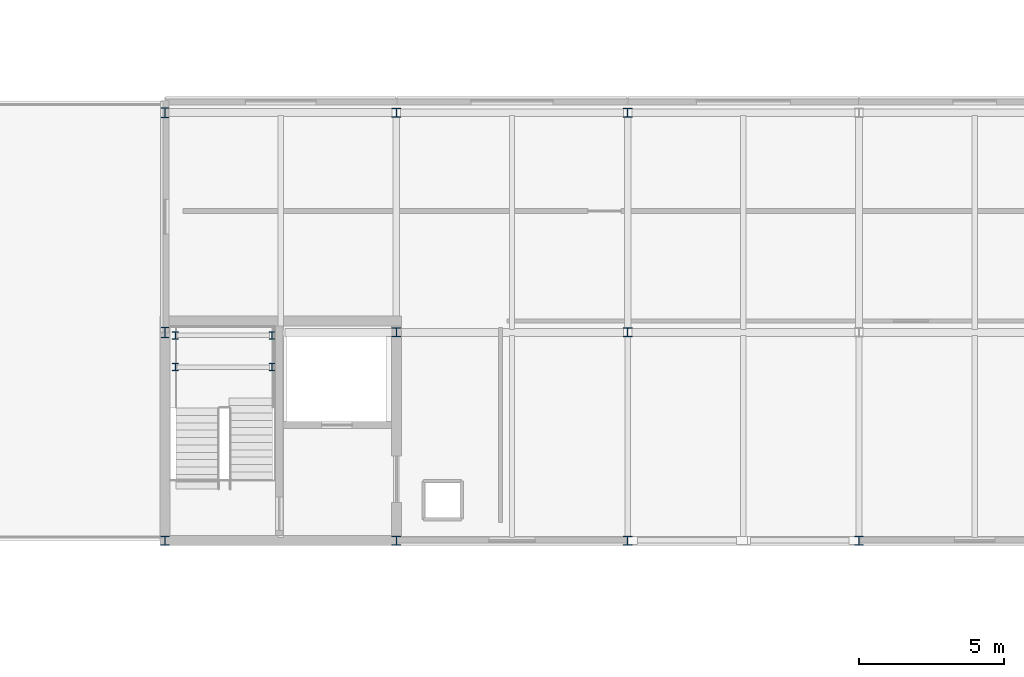
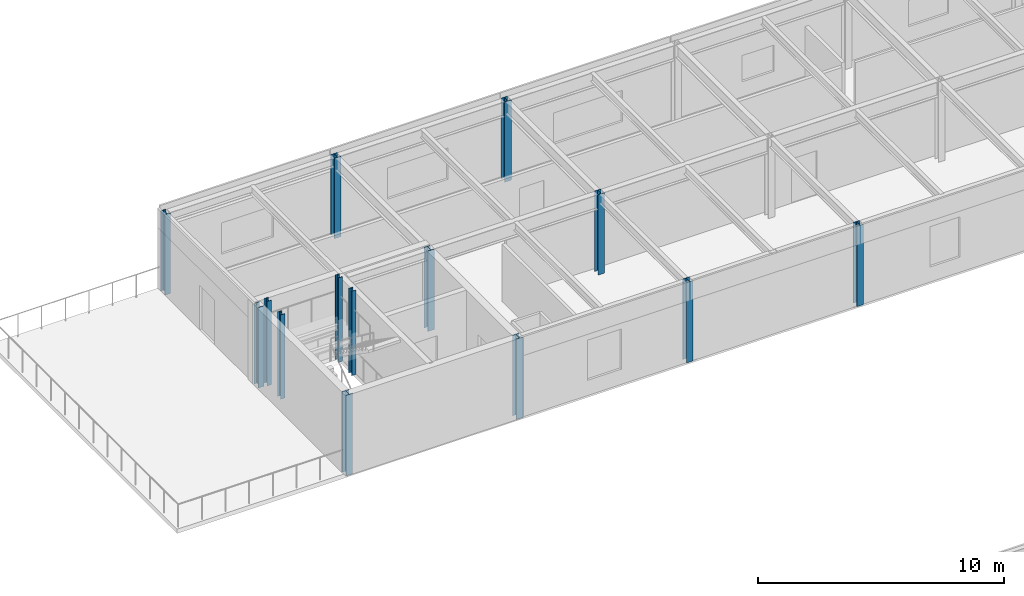
# One storey, part 4 of 33: 14 columns.
"""IFC4 building model written with IfcOpenShell, lengths in metres."""

from ifc_helpers import new_model, si_unit, direction, frame, origin, origin_2d, place, context, subcontext, project, spatial, i_section, extrude, material, material_profile, profile_set, type_object, element, save


model = new_model("IFC4")

# Units and contexts
model_context = context("Model", 3, precision=1e-05, world=origin(), true_north=direction((0.0, 1.0)))
body_context = subcontext(model_context, "Body", "Model", "MODEL_VIEW")
ifc_project = project(units=[si_unit("LENGTHUNIT", "METRE"), si_unit("AREAUNIT", "SQUARE_METRE"), si_unit("VOLUMEUNIT", "CUBIC_METRE"), si_unit("PLANEANGLEUNIT", "RADIAN"), si_unit("MASSUNIT", "GRAM", prefix="KILO")], contexts=[model_context])

# Site, building, storey
site_placement = place(None, origin())
site = spatial("IfcSite", under=ifc_project, at=site_placement, CompositionType="ELEMENT")
building_placement = place(site_placement, origin())
building = spatial("IfcBuilding", under=site, at=building_placement, Name="Zulena Civic Courthouse", CompositionType="ELEMENT")
storey_placement = place(building_placement, frame((0.0, 0.0, 33.60009765625)))
storey = spatial("IfcBuildingStorey", under=building, at=storey_placement, Name="L07", CompositionType="ELEMENT", Elevation=33.60009765625)

# Columns
ifc_material = material(Name="Steel ASTM A992 Grade 50", Category="steel")
ifc_material_profile_1 = material_profile(ifc_material, i_section(OverallWidth=0.2041015625, OverallDepth=0.257080078125, WebThickness=0.0087890625, FlangeThickness=0.015625, FilletRadius=0.0126953125, at=origin_2d()), Name="W10X45")
ifc_profile_set_1 = profile_set([ifc_material_profile_1], Name="Steel ASTM A992 Grade 50")
column_type_1 = type_object("IfcColumnType", Name="Col_W10X45", PredefinedType="COLUMN", material=ifc_profile_set_1)
for number, where, z_axis, x_axis, name in (
    (1, (20.360107421875, 52.0, 0.0), (0.0, 0.0, 1.0), (1.0, 0.0, 0.0), "col:lnd:K5A:L07:0:0"),
    (2, (23.699951171875, 52.0, 0.0), (0.0, 0.0, 1.0), (1.0, 0.0, 0.0), "col:lnd:K5A:L07:0:1"),
    (3, (20.360107421875, 53.10009765625, 0.0), (0.0, 0.0, 1.0), (1.0, 0.0, 0.0), "col:lnd:K5A:L07:1:0"),
    (4, (23.699951171875, 53.10009765625, 0.0), (0.0, 0.0, 1.0), (1.0, 0.0, 0.0), "col:lnd:K5A:L07:1:1"),
):
    element("IfcColumn", number, at=place(storey_placement, frame(where, z_axis=z_axis, x_axis=x_axis)), inside=storey, type_object=column_type_1, Name=name, PredefinedType="COLUMN", context=body_context, shape_type="SweptSolid", body=[
        extrude(i_section(OverallWidth=0.2041015625, OverallDepth=0.257080078125, WebThickness=0.0087890625, FlangeThickness=0.015625, FilletRadius=0.0126953125, at=origin_2d()), origin(), (0.0, 0.0, 1.0), 4.19482421875),
    ])
ifc_material_profile_2 = material_profile(ifc_material, i_section(OverallWidth=0.306884765625, OverallDepth=0.31396484375, WebThickness=0.011962890625, FlangeThickness=0.018798828125, FilletRadius=0.01513671875, at=origin_2d()), Name="W12X79")
ifc_profile_set_2 = profile_set([ifc_material_profile_2], Name="Steel ASTM A992 Grade 50")
column_type_2 = type_object("IfcColumnType", Name="Col_W12X79", PredefinedType="COLUMN", material=ifc_profile_set_2)
for number, where, z_axis, x_axis, name in (
    (5, (20.0, 46.0, 0.0), (0.0, 0.0, 1.0), (1.0, 0.0, 0.0), "col:V5:L07:20.0:46.0"),
    (6, (28.0, 46.0, 0.0), (0.0, 0.0, 1.0), (1.0, 0.0, 0.0), "col:V5:L07:28.0:46.0"),
    (7, (28.0, 53.199951171875, 0.0), (0.0, 0.0, 1.0), (1.0, 0.0, 0.0), "col:V5:L07:28.0:53.2"),
    (8, (28.0, 60.800048828125, 0.0), (0.0, 0.0, 1.0), (1.0, 0.0, 0.0), "col:V5:L07:28.0:60.8"),
    (9, (36.0, 46.0, 0.0), (0.0, 0.0, 1.0), (1.0, 0.0, 0.0), "col:V5:L07:36.0:46.0"),
    (10, (36.0, 53.199951171875, 0.0), (0.0, 0.0, 1.0), (1.0, 0.0, 0.0), "col:V5:L07:36.0:53.2"),
    (11, (36.0, 60.800048828125, 0.0), (0.0, 0.0, 1.0), (1.0, 0.0, 0.0), "col:V5:L07:36.0:60.8"),
    (12, (44.0, 46.0, 0.0), (0.0, 0.0, 1.0), (1.0, 0.0, 0.0), "col:V5:L07:44.0:46.0"),
):
    element("IfcColumn", number, at=place(storey_placement, frame(where, z_axis=z_axis, x_axis=x_axis)), inside=storey, type_object=column_type_2, Name=name, PredefinedType="COLUMN", context=body_context, shape_type="SweptSolid", body=[
        extrude(i_section(OverallWidth=0.306884765625, OverallDepth=0.31396484375, WebThickness=0.011962890625, FlangeThickness=0.018798828125, FilletRadius=0.01513671875, at=origin_2d()), origin(), (0.0, 0.0, 1.0), 3.994873046875),
    ])
ifc_material_profile_3 = material_profile(ifc_material, i_section(OverallWidth=0.2548828125, OverallDepth=0.35693359375, WebThickness=0.010498046875, FlangeThickness=0.018310546875, FilletRadius=0.01513671875, at=origin_2d()), Name="W14X68")
ifc_profile_set_3 = profile_set([ifc_material_profile_3], Name="Steel ASTM A992 Grade 50")
column_type_3 = type_object("IfcColumnType", Name="Col_W14X68", PredefinedType="COLUMN", material=ifc_profile_set_3)
for number, where, z_axis, x_axis, name in (
    (13, (20.0, 53.199951171875, 0.0), (0.0, 0.0, 1.0), (1.0, 0.0, 0.0), "col:V5:L07:20.0:53.2"),
    (14, (20.0, 60.800048828125, 0.0), (0.0, 0.0, 1.0), (1.0, 0.0, 0.0), "col:V5:L07:20.0:60.8"),
):
    element("IfcColumn", number, at=place(storey_placement, frame(where, z_axis=z_axis, x_axis=x_axis)), inside=storey, type_object=column_type_3, Name=name, PredefinedType="COLUMN", context=body_context, shape_type="SweptSolid", body=[
        extrude(i_section(OverallWidth=0.2548828125, OverallDepth=0.35693359375, WebThickness=0.010498046875, FlangeThickness=0.018310546875, FilletRadius=0.01513671875, at=origin_2d()), origin(), (0.0, 0.0, 1.0), 3.994873046875),
    ])

save(model, "model.ifc")
